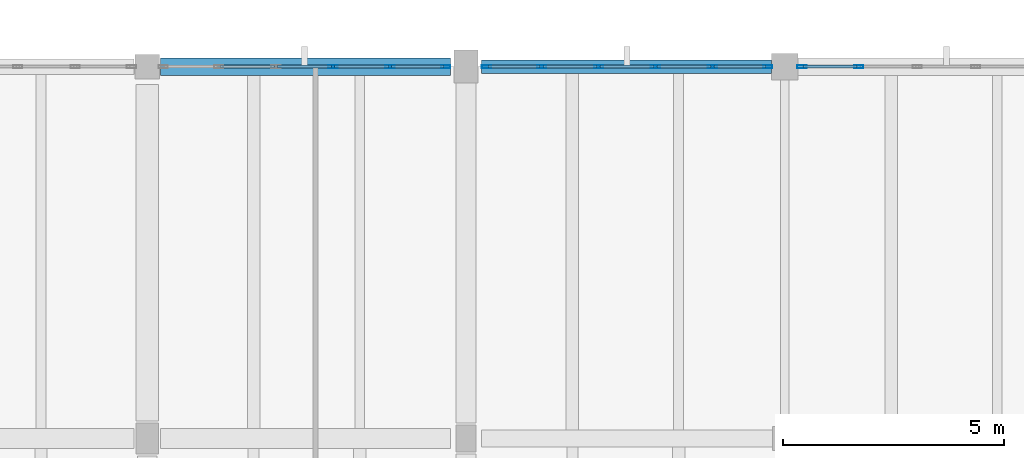
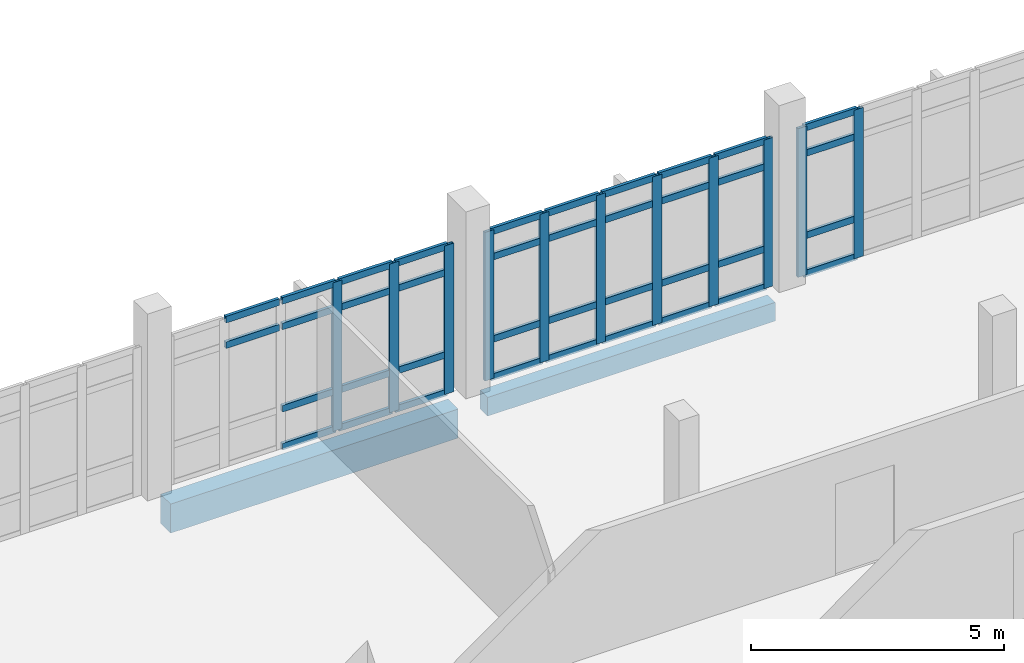
# One storey, part 37 of 57: 49 members, 2 beams, 3 elements without a shape of their own.
"""IFC4 building model written with IfcOpenShell, lengths in metres."""

import ifcopenshell
import ifcopenshell.guid

model = None  # the IFC model being written
_history = None  # IfcOwnerHistory: only IFC2X3 demands one
_inside = {}  # id of a spatial element -> (the spatial element, [elements in it])
_under = {}  # id of a project, library or spatial element -> (it, [spatial elements below it])
_declared = {}  # id of a project -> (the project, [libraries it declares])
_typed = {}  # id of a type object -> (the type object, [elements of that type])
_made_of = {}  # id of a material, layer set ... -> (it, [elements and type objects made of it])


def new_model(schema):
    """Start an empty IFC model of exactly this schema.

    Asked for "IFC4X3", IfcOpenShell would pick the latest addendum, in which some entities
    have other attributes; the version numbers below select the first issue.
    IFC2X3 requires an IfcOwnerHistory on every rooted entity: one is made here for all.
    """
    global model, _history
    if schema == "IFC4X3":
        model = ifcopenshell.file(schema_version=(4, 3, 0, 0))
    else:
        model = ifcopenshell.file(schema=schema)
    _inside.clear()
    _under.clear()
    _declared.clear()
    _typed.clear()
    _made_of.clear()
    _history = None
    if model.schema == "IFC2X3":
        org = make("IfcOrganization", Name="unknown")
        user = make(
            "IfcPersonAndOrganization",
            ThePerson=make("IfcPerson", FamilyName="unknown"),
            TheOrganization=org,
        )
        app = make(
            "IfcApplication",
            ApplicationDeveloper=org,
            Version="unknown",
            ApplicationFullName="unknown",
            ApplicationIdentifier="unknown",
        )
        _history = make(
            "IfcOwnerHistory",
            OwningUser=user,
            OwningApplication=app,
            ChangeAction="ADDED",
            CreationDate=0,
        )
    return model


def make(cls, **values):
    """One entity of the class cls with the attributes given. An attribute that is None is left unset."""
    return model.create_entity(
        cls, **{name: value for name, value in values.items() if value is not None}
    )


def rooted(cls, **values):
    """An entity with a GlobalId (a new one), such as an element, a storey or a relation."""
    return make(cls, GlobalId=ifcopenshell.guid.new(), OwnerHistory=_history, **values)


def si_unit(unit_type, name, prefix=None):
    """IfcSIUnit, for example si_unit("LENGTHUNIT", "METRE", prefix="MILLI")."""
    return make("IfcSIUnit", UnitType=unit_type, Prefix=prefix, Name=name)


def assignment(units):
    """IfcUnitAssignment: the units of a project."""
    return None if units is None else make("IfcUnitAssignment", Units=units)


def point(xyz):
    """IfcCartesianPoint."""
    return None if xyz is None else make("IfcCartesianPoint", Coordinates=xyz)


def direction(xyz):
    """IfcDirection."""
    return None if xyz is None else make("IfcDirection", DirectionRatios=xyz)


def frame(location, z_axis=None, x_axis=None):
    """IfcAxis2Placement3D, a coordinate frame: its origin and axes. An axis left out is left unset."""
    return make(
        "IfcAxis2Placement3D",
        Location=point(location),
        Axis=direction(z_axis),
        RefDirection=direction(x_axis),
    )


def frame_2d(location, x_axis=None):
    """IfcAxis2Placement2D, a coordinate frame in the plane: its origin and x axis."""
    return make(
        "IfcAxis2Placement2D", Location=point(location), RefDirection=direction(x_axis)
    )


def origin():
    """The frame at (0, 0, 0) with its axes left unset."""
    return frame((0.0, 0.0, 0.0))


def origin_2d():
    """The frame at (0, 0) in the plane with its x axis left unset."""
    return frame_2d((0.0, 0.0))


def place(relative_to, where):
    """IfcLocalPlacement: puts the frame where relative to a parent placement (None: the world)."""
    return make(
        "IfcLocalPlacement", PlacementRelTo=relative_to, RelativePlacement=where
    )


def context(
    kind, dimensions, precision=None, world=None, true_north=None, identifier=None
):
    """IfcGeometricRepresentationContext, for example the 3D "Model" context."""
    return make(
        "IfcGeometricRepresentationContext",
        ContextIdentifier=identifier,
        ContextType=kind,
        CoordinateSpaceDimension=dimensions,
        Precision=precision,
        WorldCoordinateSystem=world,
        TrueNorth=true_north,
    )


def subcontext(parent, identifier, kind, view, scale=None):
    """IfcGeometricRepresentationSubContext, for example "Body" below "Model"."""
    return make(
        "IfcGeometricRepresentationSubContext",
        ContextIdentifier=identifier,
        ContextType=kind,
        ParentContext=parent,
        TargetScale=scale,
        TargetView=view,
    )


def project(units=None, contexts=None):
    """IfcProject with its units and contexts."""
    return rooted(
        "IfcProject",
        Name="project",
        RepresentationContexts=contexts,
        UnitsInContext=assignment(units),
    )


def spatial(cls, under=None, at=None, **own):
    """A site, building, storey or space (cls), placed at a placement, below another one or the project."""
    s = rooted(cls, ObjectPlacement=at, **own)
    if under is not None:
        _under.setdefault(under.id(), (under, []))[1].append(s)
    return s


def profile(cls, at=None, kind="AREA", **sizes):
    """A parametric profile (cls). Its sizes go by their IFC names, for example OverallWidth=200.0."""
    return make(cls, ProfileType=kind, Position=at, **sizes)


def rectangle(**sizes):
    """IfcRectangleProfileDef."""
    return profile("IfcRectangleProfileDef", **sizes)


def hollow_rectangle(**sizes):
    """IfcRectangleHollowProfileDef."""
    return profile("IfcRectangleHollowProfileDef", **sizes)


def extrude(swept, where, along, depth):
    """IfcExtrudedAreaSolid: the profile swept, set in the frame where, extruded along a direction by depth."""
    return make(
        "IfcExtrudedAreaSolid",
        SweptArea=swept,
        Position=where,
        ExtrudedDirection=direction(along),
        Depth=depth,
    )


def shape(context_of_items, identifier, shape_type, items):
    """IfcShapeRepresentation: the items that make up one representation, for example the "Body"."""
    return make(
        "IfcShapeRepresentation",
        ContextOfItems=context_of_items,
        RepresentationIdentifier=identifier,
        RepresentationType=shape_type,
        Items=items,
    )


def material(Name=None, Category=None):
    """IfcMaterial."""
    return make("IfcMaterial", Name=Name, Category=Category)


def material_profile(
    of_material, cross_section, Name=None, Category=None, Priority=None
):
    """IfcMaterialProfile: a cross section and its material."""
    return make(
        "IfcMaterialProfile",
        Name=Name,
        Material=of_material,
        Profile=cross_section,
        Priority=Priority,
        Category=Category,
    )


def profile_set(profiles, Name=None, composite=None):
    """IfcMaterialProfileSet."""
    return make(
        "IfcMaterialProfileSet",
        Name=Name,
        MaterialProfiles=profiles,
        CompositeProfile=composite,
    )


def made_of(thing, what):
    """Note that an element or type object is made of a material, layer set ...; save() writes the relation."""
    if what is not None:
        _made_of.setdefault(what.id(), (what, []))[1].append(thing)
    return thing


def type_object(cls, material=None, **own):
    """A type object (cls), such as IfcWallType, which elements share."""
    return made_of(rooted(cls, **own), material)


def element(
    cls,
    number,
    at=None,
    inside=None,
    cuts=None,
    type_object=None,
    material=None,
    context=None,
    identifier="Body",
    shape_type=None,
    held_by="IfcProductDefinitionShape",
    body=None,
    shapes=None,
    **own,
):
    """One element of the class cls, such as IfcWall. Its Tag is "e" and its number.

    at: its placement. inside: the storey or other place that contains it. cuts: it is an
    opening in that element (IfcRelVoidsElement). A single representation is given by context,
    identifier, shape_type and body (its items); several are given by shapes. held_by: the class
    of the entity that holds the representations. save() writes the other relations.
    """
    e = rooted(cls, Tag="e%d" % number, ObjectPlacement=at, **own)
    if body is not None:
        shapes = [shape(context, identifier, shape_type, body)]
    if shapes is not None:
        e.Representation = make(held_by, Representations=shapes)
    if inside is not None:
        _inside.setdefault(inside.id(), (inside, []))[1].append(e)
    if cuts is not None:
        rooted(
            "IfcRelVoidsElement", RelatingBuildingElement=cuts, RelatedOpeningElement=e
        )
    if type_object is not None:
        _typed.setdefault(type_object.id(), (type_object, []))[1].append(e)
    return made_of(e, material)


def aggregate(whole, parts):
    """IfcRelAggregates: a whole, such as a stair, and the parts it consists of."""
    return rooted("IfcRelAggregates", RelatingObject=whole, RelatedObjects=parts)


def save(model, path):
    """Write the relations noted so far, then the file.

    IfcRelAggregates (storeys below a building ...), IfcRelContainedInSpatialStructure (elements
    in a storey), IfcRelDefinesByType, IfcRelAssociatesMaterial and IfcRelDeclares: one each for
    every whole, place, type object, material and project.
    """
    for whole, parts in _under.values():
        aggregate(whole, parts)
    for where, things in _inside.values():
        rooted(
            "IfcRelContainedInSpatialStructure",
            RelatedElements=things,
            RelatingStructure=where,
        )
    for kind, things in _typed.values():
        rooted("IfcRelDefinesByType", RelatedObjects=things, RelatingType=kind)
    for what, things in _made_of.values():
        rooted("IfcRelAssociatesMaterial", RelatedObjects=things, RelatingMaterial=what)
    for by, libraries in _declared.values():
        rooted("IfcRelDeclares", RelatingContext=by, RelatedDefinitions=libraries)
    model.write(path)


model = new_model("IFC4")

# Units and contexts
model_context = context("Model", 3, precision=1e-05, world=origin(), true_north=direction((0.0, 1.0)))
body_context = subcontext(model_context, "Body", "Model", "MODEL_VIEW")
ifc_project = project(units=[si_unit("LENGTHUNIT", "METRE"), si_unit("AREAUNIT", "SQUARE_METRE"), si_unit("VOLUMEUNIT", "CUBIC_METRE"), si_unit("PLANEANGLEUNIT", "RADIAN"), si_unit("MASSUNIT", "GRAM", prefix="KILO")], contexts=[model_context])

# Site, building, storey
site_placement = place(None, origin())
site = spatial("IfcSite", under=ifc_project, at=site_placement, CompositionType="ELEMENT")
building_placement = place(site_placement, origin())
building = spatial("IfcBuilding", under=site, at=building_placement, Name="Kalluvel Institute of Natural Sciences", CompositionType="ELEMENT")
storey_placement = place(building_placement, frame((0.0, 0.0, 23.39990234375)))
storey = spatial("IfcBuildingStorey", under=building, at=storey_placement, Name="L05", CompositionType="ELEMENT", Elevation=23.39990234375)

# Curtain wall, members
ifc_material_1 = material(Name="Aluminium AW-6063 T6", Category="aluminium")
curtain_wall_type = type_object("IfcCurtainWallType", Name="CW-WET-45", PredefinedType="USERDEFINED", material=ifc_material_1)
curtain_wall_1_placement = place(storey_placement, origin())
curtain_wall_1 = element("IfcCurtainWall", 1, at=curtain_wall_1_placement, inside=storey, type_object=curtain_wall_type, Name="L05 Gothic lancet curtain wall CWA-L05-X935-Y1280", ObjectType="UNITISED LANCET FACADE", PredefinedType="USERDEFINED")
ifc_material_profile_1 = material_profile(ifc_material_1, hollow_rectangle(XDim=0.070068359375, YDim=0.2099609375, WallThickness=0.0048828125, at=origin_2d()), Name="CWM 70x210")
ifc_profile_set_1 = profile_set([ifc_material_profile_1], Name="Aluminium AW-6063 T6")
member_type_1 = type_object("IfcMemberType", Name="CWM-70x210", PredefinedType="MULLION", material=ifc_profile_set_1)
member_1_placement = place(storey_placement, frame((97.39501953125, 128.0, 0.0), z_axis=(0.0, 0.0, 1.0), x_axis=(0.0, 1.0, 0.0)))
member_1 = element("IfcMember", 2, at=member_1_placement, type_object=member_type_1, Name="CW-01 mullion 4", PredefinedType="MULLION", context=body_context, shape_type="SweptSolid", body=[
    extrude(hollow_rectangle(XDim=0.070068359375, YDim=0.2099609375, WallThickness=0.0048828125, at=origin_2d()), origin(), (0.0, 0.0, 1.0), 3.580078125),
])
member_2_placement = place(storey_placement, frame((98.68505859375, 128.0, 0.0), z_axis=(0.0, 0.0, 1.0), x_axis=(0.0, 1.0, 0.0)))
member_2 = element("IfcMember", 3, at=member_2_placement, type_object=member_type_1, Name="CW-01 mullion 5", PredefinedType="MULLION", context=body_context, shape_type="SweptSolid", body=[
    extrude(hollow_rectangle(XDim=0.070068359375, YDim=0.2099609375, WallThickness=0.0048828125, at=origin_2d()), origin(), (0.0, 0.0, 1.0), 3.580078125),
])
member_3_placement = place(storey_placement, frame((99.93994140625, 128.0, 0.0), z_axis=(0.0, 0.0, 1.0), x_axis=(0.0, 1.0, 0.0)))
member_3 = element("IfcMember", 4, at=member_3_placement, type_object=member_type_1, Name="CW-01 mullion 6", PredefinedType="MULLION", context=body_context, shape_type="SweptSolid", body=[
    extrude(hollow_rectangle(XDim=0.070068359375, YDim=0.2099609375, WallThickness=0.0048828125, at=origin_2d()), origin(), (0.0, 0.0, 1.0), 3.580078125),
])

curtain_wall_2_placement = place(storey_placement, origin())
curtain_wall_2 = element("IfcCurtainWall", 5, at=curtain_wall_2_placement, inside=storey, type_object=curtain_wall_type, Name="L05 Gothic lancet curtain wall CWA-L05-X1008-Y1280", ObjectType="UNITISED LANCET FACADE", PredefinedType="USERDEFINED")
member_4_placement = place(storey_placement, frame((100.860107421875, 128.0, 0.0), z_axis=(0.0, 0.0, 1.0), x_axis=(0.0, 1.0, 0.0)))
member_4 = element("IfcMember", 6, at=member_4_placement, type_object=member_type_1, Name="CW-01 mullion 1", PredefinedType="MULLION", context=body_context, shape_type="SweptSolid", body=[
    extrude(hollow_rectangle(XDim=0.070068359375, YDim=0.2099609375, WallThickness=0.0048828125, at=origin_2d()), origin(), (0.0, 0.0, 1.0), 3.580078125),
])
member_5_placement = place(storey_placement, frame((102.110107421875, 128.0, 0.0), z_axis=(0.0, 0.0, 1.0), x_axis=(0.0, 1.0, 0.0)))
member_5 = element("IfcMember", 7, at=member_5_placement, type_object=member_type_1, Name="CW-01 mullion 2", PredefinedType="MULLION", context=body_context, shape_type="SweptSolid", body=[
    extrude(hollow_rectangle(XDim=0.070068359375, YDim=0.2099609375, WallThickness=0.0048828125, at=origin_2d()), origin(), (0.0, 0.0, 1.0), 3.580078125),
])
member_6_placement = place(storey_placement, frame((103.39501953125, 128.0, 0.0), z_axis=(0.0, 0.0, 1.0), x_axis=(0.0, 1.0, 0.0)))
member_6 = element("IfcMember", 8, at=member_6_placement, type_object=member_type_1, Name="CW-01 mullion 3", PredefinedType="MULLION", context=body_context, shape_type="SweptSolid", body=[
    extrude(hollow_rectangle(XDim=0.070068359375, YDim=0.2099609375, WallThickness=0.0048828125, at=origin_2d()), origin(), (0.0, 0.0, 1.0), 3.580078125),
])
member_7_placement = place(storey_placement, frame((104.679931640625, 128.0, 0.0), z_axis=(0.0, 0.0, 1.0), x_axis=(0.0, 1.0, 0.0)))
member_7 = element("IfcMember", 9, at=member_7_placement, type_object=member_type_1, Name="CW-01 mullion 4", PredefinedType="MULLION", context=body_context, shape_type="SweptSolid", body=[
    extrude(hollow_rectangle(XDim=0.070068359375, YDim=0.2099609375, WallThickness=0.0048828125, at=origin_2d()), origin(), (0.0, 0.0, 1.0), 3.580078125),
])
member_8_placement = place(storey_placement, frame((105.965087890625, 128.0, 0.0), z_axis=(0.0, 0.0, 1.0), x_axis=(0.0, 1.0, 0.0)))
member_8 = element("IfcMember", 10, at=member_8_placement, type_object=member_type_1, Name="CW-01 mullion 5", PredefinedType="MULLION", context=body_context, shape_type="SweptSolid", body=[
    extrude(hollow_rectangle(XDim=0.070068359375, YDim=0.2099609375, WallThickness=0.0048828125, at=origin_2d()), origin(), (0.0, 0.0, 1.0), 3.580078125),
])
member_9_placement = place(storey_placement, frame((107.215087890625, 128.0, 0.0), z_axis=(0.0, 0.0, 1.0), x_axis=(0.0, 1.0, 0.0)))
member_9 = element("IfcMember", 11, at=member_9_placement, type_object=member_type_1, Name="CW-01 mullion 6", PredefinedType="MULLION", context=body_context, shape_type="SweptSolid", body=[
    extrude(hollow_rectangle(XDim=0.070068359375, YDim=0.2099609375, WallThickness=0.0048828125, at=origin_2d()), origin(), (0.0, 0.0, 1.0), 3.580078125),
])

curtain_wall_3_placement = place(storey_placement, origin())
curtain_wall_3 = element("IfcCurtainWall", 12, at=curtain_wall_3_placement, inside=storey, type_object=curtain_wall_type, Name="L05 Gothic lancet curtain wall CWA-L05-X1080-Y1280", ObjectType="UNITISED LANCET FACADE", PredefinedType="USERDEFINED")
member_10_placement = place(storey_placement, frame((107.985107421875, 128.0, 0.0), z_axis=(0.0, 0.0, 1.0), x_axis=(0.0, 1.0, 0.0)))
member_10 = element("IfcMember", 13, at=member_10_placement, type_object=member_type_1, Name="CW-01 mullion 1", PredefinedType="MULLION", context=body_context, shape_type="SweptSolid", body=[
    extrude(hollow_rectangle(XDim=0.070068359375, YDim=0.2099609375, WallThickness=0.0048828125, at=origin_2d()), origin(), (0.0, 0.0, 1.0), 3.580078125),
])
member_11_placement = place(storey_placement, frame((109.27001953125, 128.0, 0.0), z_axis=(0.0, 0.0, 1.0), x_axis=(0.0, 1.0, 0.0)))
member_11 = element("IfcMember", 14, at=member_11_placement, type_object=member_type_1, Name="CW-01 mullion 2", PredefinedType="MULLION", context=body_context, shape_type="SweptSolid", body=[
    extrude(hollow_rectangle(XDim=0.070068359375, YDim=0.2099609375, WallThickness=0.0048828125, at=origin_2d()), origin(), (0.0, 0.0, 1.0), 3.580078125),
])

# Member
ifc_material_profile_2 = material_profile(ifc_material_1, hollow_rectangle(XDim=0.070068359375, YDim=0.159912109375, WallThickness=0.0048828125, at=origin_2d()), Name="CWT 70x160")
ifc_profile_set_2 = profile_set([ifc_material_profile_2], Name="Aluminium AW-6063 T6")
member_type_2 = type_object("IfcMemberType", Name="CWT-70x160", PredefinedType="USERDEFINED", material=ifc_profile_set_2)
member_12_placement = place(storey_placement, frame((94.85009765625, 128.0, 2.93017578125), z_axis=(1.0, 0.0, 0.0), x_axis=(0.0, 1.0, 0.0)))
member_12 = element("IfcMember", 15, at=member_12_placement, type_object=member_type_2, Name="CW-01 transom 2.3", ObjectType="TRANSOM", PredefinedType="USERDEFINED", context=body_context, shape_type="SweptSolid", body=[
    extrude(hollow_rectangle(XDim=0.070068359375, YDim=0.159912109375, WallThickness=0.0048828125, at=origin_2d()), origin(), (0.0, 0.0, 1.0), 1.219970703125),
])

member_13_placement = place(storey_placement, frame((94.85009765625, 128.0, 3.545166015625), z_axis=(1.0, 0.0, 0.0), x_axis=(0.0, 1.0, 0.0)))
member_13 = element("IfcMember", 16, at=member_13_placement, type_object=member_type_2, Name="CW-01 transom 2.4", ObjectType="TRANSOM", PredefinedType="USERDEFINED", context=body_context, shape_type="SweptSolid", body=[
    extrude(hollow_rectangle(XDim=0.070068359375, YDim=0.159912109375, WallThickness=0.0048828125, at=origin_2d()), origin(), (0.0, 0.0, 1.0), 1.219970703125),
])

member_14_placement = place(storey_placement, frame((96.139892578125, 128.0, 0.03515625), z_axis=(1.0, 0.0, 0.0), x_axis=(0.0, 1.0, 0.0)))
member_14 = element("IfcMember", 17, at=member_14_placement, type_object=member_type_2, Name="CW-01 transom 3.1", ObjectType="TRANSOM", PredefinedType="USERDEFINED", context=body_context, shape_type="SweptSolid", body=[
    extrude(hollow_rectangle(XDim=0.070068359375, YDim=0.159912109375, WallThickness=0.0048828125, at=origin_2d()), origin(), (0.0, 0.0, 1.0), 1.22021484375),
])

member_15_placement = place(storey_placement, frame((96.139892578125, 128.0, 0.9501953125), z_axis=(1.0, 0.0, 0.0), x_axis=(0.0, 1.0, 0.0)))
member_15 = element("IfcMember", 18, at=member_15_placement, type_object=member_type_2, Name="CW-01 transom 3.2", ObjectType="TRANSOM", PredefinedType="USERDEFINED", context=body_context, shape_type="SweptSolid", body=[
    extrude(hollow_rectangle(XDim=0.070068359375, YDim=0.159912109375, WallThickness=0.0048828125, at=origin_2d()), origin(), (0.0, 0.0, 1.0), 1.22021484375),
])

member_16_placement = place(storey_placement, frame((96.139892578125, 128.0, 2.93017578125), z_axis=(1.0, 0.0, 0.0), x_axis=(0.0, 1.0, 0.0)))
member_16 = element("IfcMember", 19, at=member_16_placement, type_object=member_type_2, Name="CW-01 transom 3.3", ObjectType="TRANSOM", PredefinedType="USERDEFINED", context=body_context, shape_type="SweptSolid", body=[
    extrude(hollow_rectangle(XDim=0.070068359375, YDim=0.159912109375, WallThickness=0.0048828125, at=origin_2d()), origin(), (0.0, 0.0, 1.0), 1.22021484375),
])

member_17_placement = place(storey_placement, frame((96.139892578125, 128.0, 3.545166015625), z_axis=(1.0, 0.0, 0.0), x_axis=(0.0, 1.0, 0.0)))
member_17 = element("IfcMember", 20, at=member_17_placement, type_object=member_type_2, Name="CW-01 transom 3.4", ObjectType="TRANSOM", PredefinedType="USERDEFINED", context=body_context, shape_type="SweptSolid", body=[
    extrude(hollow_rectangle(XDim=0.070068359375, YDim=0.159912109375, WallThickness=0.0048828125, at=origin_2d()), origin(), (0.0, 0.0, 1.0), 1.22021484375),
])

member_18_placement = place(storey_placement, frame((97.429931640625, 128.0, 0.03515625), z_axis=(1.0, 0.0, 0.0), x_axis=(0.0, 1.0, 0.0)))
member_18 = element("IfcMember", 21, at=member_18_placement, type_object=member_type_2, Name="CW-01 transom 4.1", ObjectType="TRANSOM", PredefinedType="USERDEFINED", context=body_context, shape_type="SweptSolid", body=[
    extrude(hollow_rectangle(XDim=0.070068359375, YDim=0.159912109375, WallThickness=0.0048828125, at=origin_2d()), origin(), (0.0, 0.0, 1.0), 1.219970703125),
])

member_19_placement = place(storey_placement, frame((97.429931640625, 128.0, 0.9501953125), z_axis=(1.0, 0.0, 0.0), x_axis=(0.0, 1.0, 0.0)))
member_19 = element("IfcMember", 22, at=member_19_placement, type_object=member_type_2, Name="CW-01 transom 4.2", ObjectType="TRANSOM", PredefinedType="USERDEFINED", context=body_context, shape_type="SweptSolid", body=[
    extrude(hollow_rectangle(XDim=0.070068359375, YDim=0.159912109375, WallThickness=0.0048828125, at=origin_2d()), origin(), (0.0, 0.0, 1.0), 1.219970703125),
])

member_20_placement = place(storey_placement, frame((97.429931640625, 128.0, 2.93017578125), z_axis=(1.0, 0.0, 0.0), x_axis=(0.0, 1.0, 0.0)))
member_20 = element("IfcMember", 23, at=member_20_placement, type_object=member_type_2, Name="CW-01 transom 4.3", ObjectType="TRANSOM", PredefinedType="USERDEFINED", context=body_context, shape_type="SweptSolid", body=[
    extrude(hollow_rectangle(XDim=0.070068359375, YDim=0.159912109375, WallThickness=0.0048828125, at=origin_2d()), origin(), (0.0, 0.0, 1.0), 1.219970703125),
])

member_21_placement = place(storey_placement, frame((97.429931640625, 128.0, 3.545166015625), z_axis=(1.0, 0.0, 0.0), x_axis=(0.0, 1.0, 0.0)))
member_21 = element("IfcMember", 24, at=member_21_placement, type_object=member_type_2, Name="CW-01 transom 4.4", ObjectType="TRANSOM", PredefinedType="USERDEFINED", context=body_context, shape_type="SweptSolid", body=[
    extrude(hollow_rectangle(XDim=0.070068359375, YDim=0.159912109375, WallThickness=0.0048828125, at=origin_2d()), origin(), (0.0, 0.0, 1.0), 1.219970703125),
])

member_22_placement = place(storey_placement, frame((98.719970703125, 128.0, 0.03515625), z_axis=(1.0, 0.0, 0.0), x_axis=(0.0, 1.0, 0.0)))
member_22 = element("IfcMember", 25, at=member_22_placement, type_object=member_type_2, Name="CW-01 transom 5.1", ObjectType="TRANSOM", PredefinedType="USERDEFINED", context=body_context, shape_type="SweptSolid", body=[
    extrude(hollow_rectangle(XDim=0.070068359375, YDim=0.159912109375, WallThickness=0.0048828125, at=origin_2d()), origin(), (0.0, 0.0, 1.0), 1.18505859375),
])

member_23_placement = place(storey_placement, frame((98.719970703125, 128.0, 0.9501953125), z_axis=(1.0, 0.0, 0.0), x_axis=(0.0, 1.0, 0.0)))
member_23 = element("IfcMember", 26, at=member_23_placement, type_object=member_type_2, Name="CW-01 transom 5.2", ObjectType="TRANSOM", PredefinedType="USERDEFINED", context=body_context, shape_type="SweptSolid", body=[
    extrude(hollow_rectangle(XDim=0.070068359375, YDim=0.159912109375, WallThickness=0.0048828125, at=origin_2d()), origin(), (0.0, 0.0, 1.0), 1.18505859375),
])

member_24_placement = place(storey_placement, frame((98.719970703125, 128.0, 2.93017578125), z_axis=(1.0, 0.0, 0.0), x_axis=(0.0, 1.0, 0.0)))
member_24 = element("IfcMember", 27, at=member_24_placement, type_object=member_type_2, Name="CW-01 transom 5.3", ObjectType="TRANSOM", PredefinedType="USERDEFINED", context=body_context, shape_type="SweptSolid", body=[
    extrude(hollow_rectangle(XDim=0.070068359375, YDim=0.159912109375, WallThickness=0.0048828125, at=origin_2d()), origin(), (0.0, 0.0, 1.0), 1.18505859375),
])

member_25_placement = place(storey_placement, frame((98.719970703125, 128.0, 3.545166015625), z_axis=(1.0, 0.0, 0.0), x_axis=(0.0, 1.0, 0.0)))
member_25 = element("IfcMember", 28, at=member_25_placement, type_object=member_type_2, Name="CW-01 transom 5.4", ObjectType="TRANSOM", PredefinedType="USERDEFINED", context=body_context, shape_type="SweptSolid", body=[
    extrude(hollow_rectangle(XDim=0.070068359375, YDim=0.159912109375, WallThickness=0.0048828125, at=origin_2d()), origin(), (0.0, 0.0, 1.0), 1.18505859375),
])

aggregate(curtain_wall_1, [member_1, member_2, member_3, member_12, member_13, member_14, member_15, member_16, member_17, member_18, member_19, member_20, member_21, member_22, member_23, member_24, member_25])

member_26_placement = place(storey_placement, frame((100.89501953125, 128.0, 0.03515625), z_axis=(1.0, 0.0, 0.0), x_axis=(0.0, 1.0, 0.0)))
member_26 = element("IfcMember", 29, at=member_26_placement, type_object=member_type_2, Name="CW-01 transom 1.1", ObjectType="TRANSOM", PredefinedType="USERDEFINED", context=body_context, shape_type="SweptSolid", body=[
    extrude(hollow_rectangle(XDim=0.070068359375, YDim=0.159912109375, WallThickness=0.0048828125, at=origin_2d()), origin(), (0.0, 0.0, 1.0), 1.179931640625),
])

member_27_placement = place(storey_placement, frame((100.89501953125, 128.0, 0.9501953125), z_axis=(1.0, 0.0, 0.0), x_axis=(0.0, 1.0, 0.0)))
member_27 = element("IfcMember", 30, at=member_27_placement, type_object=member_type_2, Name="CW-01 transom 1.2", ObjectType="TRANSOM", PredefinedType="USERDEFINED", context=body_context, shape_type="SweptSolid", body=[
    extrude(hollow_rectangle(XDim=0.070068359375, YDim=0.159912109375, WallThickness=0.0048828125, at=origin_2d()), origin(), (0.0, 0.0, 1.0), 1.179931640625),
])

member_28_placement = place(storey_placement, frame((100.89501953125, 128.0, 2.93017578125), z_axis=(1.0, 0.0, 0.0), x_axis=(0.0, 1.0, 0.0)))
member_28 = element("IfcMember", 31, at=member_28_placement, type_object=member_type_2, Name="CW-01 transom 1.3", ObjectType="TRANSOM", PredefinedType="USERDEFINED", context=body_context, shape_type="SweptSolid", body=[
    extrude(hollow_rectangle(XDim=0.070068359375, YDim=0.159912109375, WallThickness=0.0048828125, at=origin_2d()), origin(), (0.0, 0.0, 1.0), 1.179931640625),
])

member_29_placement = place(storey_placement, frame((100.89501953125, 128.0, 3.545166015625), z_axis=(1.0, 0.0, 0.0), x_axis=(0.0, 1.0, 0.0)))
member_29 = element("IfcMember", 32, at=member_29_placement, type_object=member_type_2, Name="CW-01 transom 1.4", ObjectType="TRANSOM", PredefinedType="USERDEFINED", context=body_context, shape_type="SweptSolid", body=[
    extrude(hollow_rectangle(XDim=0.070068359375, YDim=0.159912109375, WallThickness=0.0048828125, at=origin_2d()), origin(), (0.0, 0.0, 1.0), 1.179931640625),
])

member_30_placement = place(storey_placement, frame((102.14501953125, 128.0, 0.03515625), z_axis=(1.0, 0.0, 0.0), x_axis=(0.0, 1.0, 0.0)))
member_30 = element("IfcMember", 33, at=member_30_placement, type_object=member_type_2, Name="CW-01 transom 2.1", ObjectType="TRANSOM", PredefinedType="USERDEFINED", context=body_context, shape_type="SweptSolid", body=[
    extrude(hollow_rectangle(XDim=0.070068359375, YDim=0.159912109375, WallThickness=0.0048828125, at=origin_2d()), origin(), (0.0, 0.0, 1.0), 1.215087890625),
])

member_31_placement = place(storey_placement, frame((102.14501953125, 128.0, 0.9501953125), z_axis=(1.0, 0.0, 0.0), x_axis=(0.0, 1.0, 0.0)))
member_31 = element("IfcMember", 34, at=member_31_placement, type_object=member_type_2, Name="CW-01 transom 2.2", ObjectType="TRANSOM", PredefinedType="USERDEFINED", context=body_context, shape_type="SweptSolid", body=[
    extrude(hollow_rectangle(XDim=0.070068359375, YDim=0.159912109375, WallThickness=0.0048828125, at=origin_2d()), origin(), (0.0, 0.0, 1.0), 1.215087890625),
])

member_32_placement = place(storey_placement, frame((102.14501953125, 128.0, 2.93017578125), z_axis=(1.0, 0.0, 0.0), x_axis=(0.0, 1.0, 0.0)))
member_32 = element("IfcMember", 35, at=member_32_placement, type_object=member_type_2, Name="CW-01 transom 2.3", ObjectType="TRANSOM", PredefinedType="USERDEFINED", context=body_context, shape_type="SweptSolid", body=[
    extrude(hollow_rectangle(XDim=0.070068359375, YDim=0.159912109375, WallThickness=0.0048828125, at=origin_2d()), origin(), (0.0, 0.0, 1.0), 1.215087890625),
])

member_33_placement = place(storey_placement, frame((102.14501953125, 128.0, 3.545166015625), z_axis=(1.0, 0.0, 0.0), x_axis=(0.0, 1.0, 0.0)))
member_33 = element("IfcMember", 36, at=member_33_placement, type_object=member_type_2, Name="CW-01 transom 2.4", ObjectType="TRANSOM", PredefinedType="USERDEFINED", context=body_context, shape_type="SweptSolid", body=[
    extrude(hollow_rectangle(XDim=0.070068359375, YDim=0.159912109375, WallThickness=0.0048828125, at=origin_2d()), origin(), (0.0, 0.0, 1.0), 1.215087890625),
])

member_34_placement = place(storey_placement, frame((103.429931640625, 128.0, 0.03515625), z_axis=(1.0, 0.0, 0.0), x_axis=(0.0, 1.0, 0.0)))
member_34 = element("IfcMember", 37, at=member_34_placement, type_object=member_type_2, Name="CW-01 transom 3.1", ObjectType="TRANSOM", PredefinedType="USERDEFINED", context=body_context, shape_type="SweptSolid", body=[
    extrude(hollow_rectangle(XDim=0.070068359375, YDim=0.159912109375, WallThickness=0.0048828125, at=origin_2d()), origin(), (0.0, 0.0, 1.0), 1.215087890625),
])

member_35_placement = place(storey_placement, frame((103.429931640625, 128.0, 0.9501953125), z_axis=(1.0, 0.0, 0.0), x_axis=(0.0, 1.0, 0.0)))
member_35 = element("IfcMember", 38, at=member_35_placement, type_object=member_type_2, Name="CW-01 transom 3.2", ObjectType="TRANSOM", PredefinedType="USERDEFINED", context=body_context, shape_type="SweptSolid", body=[
    extrude(hollow_rectangle(XDim=0.070068359375, YDim=0.159912109375, WallThickness=0.0048828125, at=origin_2d()), origin(), (0.0, 0.0, 1.0), 1.215087890625),
])

member_36_placement = place(storey_placement, frame((103.429931640625, 128.0, 2.93017578125), z_axis=(1.0, 0.0, 0.0), x_axis=(0.0, 1.0, 0.0)))
member_36 = element("IfcMember", 39, at=member_36_placement, type_object=member_type_2, Name="CW-01 transom 3.3", ObjectType="TRANSOM", PredefinedType="USERDEFINED", context=body_context, shape_type="SweptSolid", body=[
    extrude(hollow_rectangle(XDim=0.070068359375, YDim=0.159912109375, WallThickness=0.0048828125, at=origin_2d()), origin(), (0.0, 0.0, 1.0), 1.215087890625),
])

member_37_placement = place(storey_placement, frame((103.429931640625, 128.0, 3.545166015625), z_axis=(1.0, 0.0, 0.0), x_axis=(0.0, 1.0, 0.0)))
member_37 = element("IfcMember", 40, at=member_37_placement, type_object=member_type_2, Name="CW-01 transom 3.4", ObjectType="TRANSOM", PredefinedType="USERDEFINED", context=body_context, shape_type="SweptSolid", body=[
    extrude(hollow_rectangle(XDim=0.070068359375, YDim=0.159912109375, WallThickness=0.0048828125, at=origin_2d()), origin(), (0.0, 0.0, 1.0), 1.215087890625),
])

member_38_placement = place(storey_placement, frame((104.715087890625, 128.0, 0.03515625), z_axis=(1.0, 0.0, 0.0), x_axis=(0.0, 1.0, 0.0)))
member_38 = element("IfcMember", 41, at=member_38_placement, type_object=member_type_2, Name="CW-01 transom 4.1", ObjectType="TRANSOM", PredefinedType="USERDEFINED", context=body_context, shape_type="SweptSolid", body=[
    extrude(hollow_rectangle(XDim=0.070068359375, YDim=0.159912109375, WallThickness=0.0048828125, at=origin_2d()), origin(), (0.0, 0.0, 1.0), 1.21484375),
])

member_39_placement = place(storey_placement, frame((104.715087890625, 128.0, 0.9501953125), z_axis=(1.0, 0.0, 0.0), x_axis=(0.0, 1.0, 0.0)))
member_39 = element("IfcMember", 42, at=member_39_placement, type_object=member_type_2, Name="CW-01 transom 4.2", ObjectType="TRANSOM", PredefinedType="USERDEFINED", context=body_context, shape_type="SweptSolid", body=[
    extrude(hollow_rectangle(XDim=0.070068359375, YDim=0.159912109375, WallThickness=0.0048828125, at=origin_2d()), origin(), (0.0, 0.0, 1.0), 1.21484375),
])

member_40_placement = place(storey_placement, frame((104.715087890625, 128.0, 2.93017578125), z_axis=(1.0, 0.0, 0.0), x_axis=(0.0, 1.0, 0.0)))
member_40 = element("IfcMember", 43, at=member_40_placement, type_object=member_type_2, Name="CW-01 transom 4.3", ObjectType="TRANSOM", PredefinedType="USERDEFINED", context=body_context, shape_type="SweptSolid", body=[
    extrude(hollow_rectangle(XDim=0.070068359375, YDim=0.159912109375, WallThickness=0.0048828125, at=origin_2d()), origin(), (0.0, 0.0, 1.0), 1.21484375),
])

member_41_placement = place(storey_placement, frame((104.715087890625, 128.0, 3.545166015625), z_axis=(1.0, 0.0, 0.0), x_axis=(0.0, 1.0, 0.0)))
member_41 = element("IfcMember", 44, at=member_41_placement, type_object=member_type_2, Name="CW-01 transom 4.4", ObjectType="TRANSOM", PredefinedType="USERDEFINED", context=body_context, shape_type="SweptSolid", body=[
    extrude(hollow_rectangle(XDim=0.070068359375, YDim=0.159912109375, WallThickness=0.0048828125, at=origin_2d()), origin(), (0.0, 0.0, 1.0), 1.21484375),
])

member_42_placement = place(storey_placement, frame((106.0, 128.0, 0.03515625), z_axis=(1.0, 0.0, 0.0), x_axis=(0.0, 1.0, 0.0)))
member_42 = element("IfcMember", 45, at=member_42_placement, type_object=member_type_2, Name="CW-01 transom 5.1", ObjectType="TRANSOM", PredefinedType="USERDEFINED", context=body_context, shape_type="SweptSolid", body=[
    extrude(hollow_rectangle(XDim=0.070068359375, YDim=0.159912109375, WallThickness=0.0048828125, at=origin_2d()), origin(), (0.0, 0.0, 1.0), 1.179931640625),
])

member_43_placement = place(storey_placement, frame((106.0, 128.0, 0.9501953125), z_axis=(1.0, 0.0, 0.0), x_axis=(0.0, 1.0, 0.0)))
member_43 = element("IfcMember", 46, at=member_43_placement, type_object=member_type_2, Name="CW-01 transom 5.2", ObjectType="TRANSOM", PredefinedType="USERDEFINED", context=body_context, shape_type="SweptSolid", body=[
    extrude(hollow_rectangle(XDim=0.070068359375, YDim=0.159912109375, WallThickness=0.0048828125, at=origin_2d()), origin(), (0.0, 0.0, 1.0), 1.179931640625),
])

member_44_placement = place(storey_placement, frame((106.0, 128.0, 2.93017578125), z_axis=(1.0, 0.0, 0.0), x_axis=(0.0, 1.0, 0.0)))
member_44 = element("IfcMember", 47, at=member_44_placement, type_object=member_type_2, Name="CW-01 transom 5.3", ObjectType="TRANSOM", PredefinedType="USERDEFINED", context=body_context, shape_type="SweptSolid", body=[
    extrude(hollow_rectangle(XDim=0.070068359375, YDim=0.159912109375, WallThickness=0.0048828125, at=origin_2d()), origin(), (0.0, 0.0, 1.0), 1.179931640625),
])

member_45_placement = place(storey_placement, frame((106.0, 128.0, 3.545166015625), z_axis=(1.0, 0.0, 0.0), x_axis=(0.0, 1.0, 0.0)))
member_45 = element("IfcMember", 48, at=member_45_placement, type_object=member_type_2, Name="CW-01 transom 5.4", ObjectType="TRANSOM", PredefinedType="USERDEFINED", context=body_context, shape_type="SweptSolid", body=[
    extrude(hollow_rectangle(XDim=0.070068359375, YDim=0.159912109375, WallThickness=0.0048828125, at=origin_2d()), origin(), (0.0, 0.0, 1.0), 1.179931640625),
])

aggregate(curtain_wall_2, [member_4, member_5, member_6, member_7, member_8, member_9, member_26, member_27, member_28, member_29, member_30, member_31, member_32, member_33, member_34, member_35, member_36, member_37, member_38, member_39, member_40, member_41, member_42, member_43, member_44, member_45])

member_46_placement = place(storey_placement, frame((108.02001953125, 128.0, 0.03515625), z_axis=(1.0, 0.0, 0.0), x_axis=(0.0, 1.0, 0.0)))
member_46 = element("IfcMember", 49, at=member_46_placement, type_object=member_type_2, Name="CW-01 transom 1.1", ObjectType="TRANSOM", PredefinedType="USERDEFINED", context=body_context, shape_type="SweptSolid", body=[
    extrude(hollow_rectangle(XDim=0.070068359375, YDim=0.159912109375, WallThickness=0.0048828125, at=origin_2d()), origin(), (0.0, 0.0, 1.0), 1.215087890625),
])

member_47_placement = place(storey_placement, frame((108.02001953125, 128.0, 0.9501953125), z_axis=(1.0, 0.0, 0.0), x_axis=(0.0, 1.0, 0.0)))
member_47 = element("IfcMember", 50, at=member_47_placement, type_object=member_type_2, Name="CW-01 transom 1.2", ObjectType="TRANSOM", PredefinedType="USERDEFINED", context=body_context, shape_type="SweptSolid", body=[
    extrude(hollow_rectangle(XDim=0.070068359375, YDim=0.159912109375, WallThickness=0.0048828125, at=origin_2d()), origin(), (0.0, 0.0, 1.0), 1.215087890625),
])

member_48_placement = place(storey_placement, frame((108.02001953125, 128.0, 2.93017578125), z_axis=(1.0, 0.0, 0.0), x_axis=(0.0, 1.0, 0.0)))
member_48 = element("IfcMember", 51, at=member_48_placement, type_object=member_type_2, Name="CW-01 transom 1.3", ObjectType="TRANSOM", PredefinedType="USERDEFINED", context=body_context, shape_type="SweptSolid", body=[
    extrude(hollow_rectangle(XDim=0.070068359375, YDim=0.159912109375, WallThickness=0.0048828125, at=origin_2d()), origin(), (0.0, 0.0, 1.0), 1.215087890625),
])

member_49_placement = place(storey_placement, frame((108.02001953125, 128.0, 3.545166015625), z_axis=(1.0, 0.0, 0.0), x_axis=(0.0, 1.0, 0.0)))
member_49 = element("IfcMember", 52, at=member_49_placement, type_object=member_type_2, Name="CW-01 transom 1.4", ObjectType="TRANSOM", PredefinedType="USERDEFINED", context=body_context, shape_type="SweptSolid", body=[
    extrude(hollow_rectangle(XDim=0.070068359375, YDim=0.159912109375, WallThickness=0.0048828125, at=origin_2d()), origin(), (0.0, 0.0, 1.0), 1.215087890625),
])

aggregate(curtain_wall_3, [member_10, member_11, member_46, member_47, member_48, member_49])

# Beams
ifc_material_2 = material(Name="Concrete M40", Category="concrete")
ifc_material_profile_3 = material_profile(ifc_material_2, rectangle(XDim=0.300048828125, YDim=0.449951171875, at=origin_2d()), Name="RCB 300x450")
ifc_profile_set_3 = profile_set([ifc_material_profile_3], Name="Concrete M40")
beam_type_1 = type_object("IfcBeamType", Name="SP-RC300x450", PredefinedType="SPANDREL", material=ifc_profile_set_3)
beam_1_placement = place(storey_placement, frame((100.75, 128.0, -0.544921875), z_axis=(1.0, 0.0, 0.0), x_axis=(0.0, 1.0, 0.0)))
element("IfcBeam", 53, at=beam_1_placement, inside=storey, type_object=beam_type_1, Name="L05 girder GIR-L05-EW-X1004-Y1280", PredefinedType="SPANDREL", context=body_context, shape_type="SweptSolid", body=[
    extrude(rectangle(XDim=0.300048828125, YDim=0.449951171875, at=origin_2d()), origin(), (0.0, 0.0, 1.0), 6.550048828125),
])
ifc_material_profile_4 = material_profile(ifc_material_2, rectangle(XDim=0.39990234375, YDim=0.699951171875, at=origin_2d()), Name="RCB 400x700")
ifc_profile_set_4 = profile_set([ifc_material_profile_4], Name="Concrete M40")
beam_type_2 = type_object("IfcBeamType", Name="SP-RC400x700", PredefinedType="SPANDREL", material=ifc_profile_set_4)
beam_2_placement = place(storey_placement, frame((93.5, 128.0, -0.669921875), z_axis=(1.0, 0.0, 0.0), x_axis=(0.0, 1.0, 0.0)))
element("IfcBeam", 54, at=beam_2_placement, inside=storey, type_object=beam_type_2, Name="L05 girder GIR-L05-EW-X932-Y1280", PredefinedType="SPANDREL", context=body_context, shape_type="SweptSolid", body=[
    extrude(rectangle(XDim=0.39990234375, YDim=0.699951171875, at=origin_2d()), origin(), (0.0, 0.0, 1.0), 6.550048828125),
])

save(model, "model.ifc")
